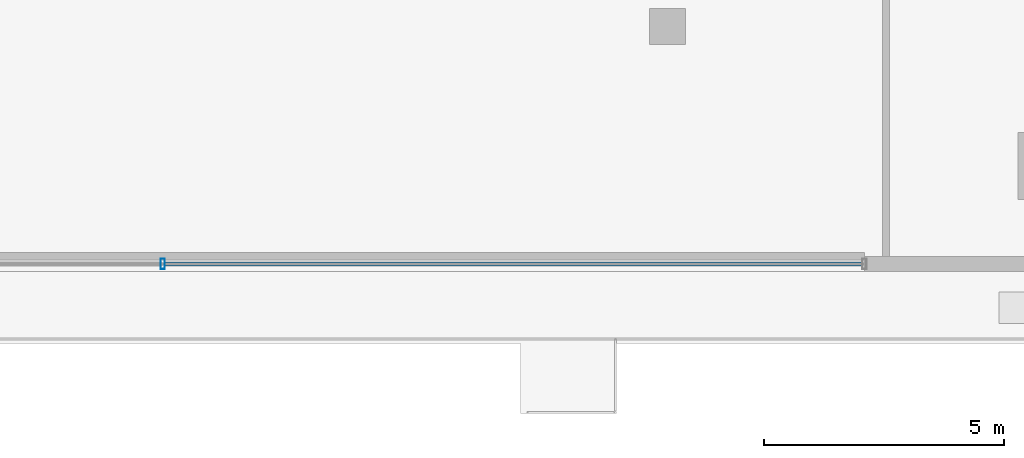
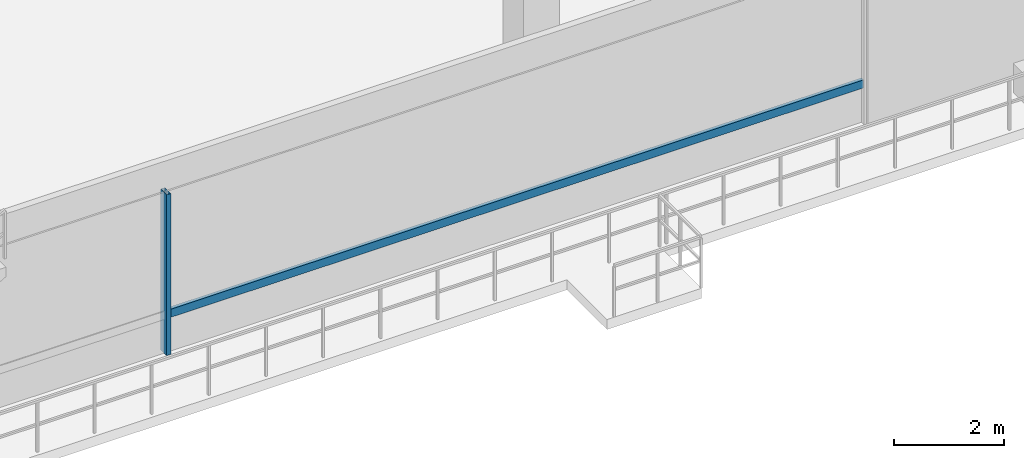
# One storey, part 4 of 25: 2 members, 1 element without a shape of its own.
"""IFC4 building model written with IfcOpenShell, lengths in metres."""

import ifcopenshell
import ifcopenshell.guid

model = None  # the IFC model being written
_history = None  # IfcOwnerHistory: only IFC2X3 demands one
_inside = {}  # id of a spatial element -> (the spatial element, [elements in it])
_under = {}  # id of a project, library or spatial element -> (it, [spatial elements below it])
_declared = {}  # id of a project -> (the project, [libraries it declares])
_typed = {}  # id of a type object -> (the type object, [elements of that type])
_made_of = {}  # id of a material, layer set ... -> (it, [elements and type objects made of it])


def new_model(schema):
    """Start an empty IFC model of exactly this schema.

    Asked for "IFC4X3", IfcOpenShell would pick the latest addendum, in which some entities
    have other attributes; the version numbers below select the first issue.
    IFC2X3 requires an IfcOwnerHistory on every rooted entity: one is made here for all.
    """
    global model, _history
    if schema == "IFC4X3":
        model = ifcopenshell.file(schema_version=(4, 3, 0, 0))
    else:
        model = ifcopenshell.file(schema=schema)
    _inside.clear()
    _under.clear()
    _declared.clear()
    _typed.clear()
    _made_of.clear()
    _history = None
    if model.schema == "IFC2X3":
        org = make("IfcOrganization", Name="unknown")
        user = make(
            "IfcPersonAndOrganization",
            ThePerson=make("IfcPerson", FamilyName="unknown"),
            TheOrganization=org,
        )
        app = make(
            "IfcApplication",
            ApplicationDeveloper=org,
            Version="unknown",
            ApplicationFullName="unknown",
            ApplicationIdentifier="unknown",
        )
        _history = make(
            "IfcOwnerHistory",
            OwningUser=user,
            OwningApplication=app,
            ChangeAction="ADDED",
            CreationDate=0,
        )
    return model


def make(cls, **values):
    """One entity of the class cls with the attributes given. An attribute that is None is left unset."""
    return model.create_entity(
        cls, **{name: value for name, value in values.items() if value is not None}
    )


def rooted(cls, **values):
    """An entity with a GlobalId (a new one), such as an element, a storey or a relation."""
    return make(cls, GlobalId=ifcopenshell.guid.new(), OwnerHistory=_history, **values)


def si_unit(unit_type, name, prefix=None):
    """IfcSIUnit, for example si_unit("LENGTHUNIT", "METRE", prefix="MILLI")."""
    return make("IfcSIUnit", UnitType=unit_type, Prefix=prefix, Name=name)


def assignment(units):
    """IfcUnitAssignment: the units of a project."""
    return None if units is None else make("IfcUnitAssignment", Units=units)


def point(xyz):
    """IfcCartesianPoint."""
    return None if xyz is None else make("IfcCartesianPoint", Coordinates=xyz)


def direction(xyz):
    """IfcDirection."""
    return None if xyz is None else make("IfcDirection", DirectionRatios=xyz)


def frame(location, z_axis=None, x_axis=None):
    """IfcAxis2Placement3D, a coordinate frame: its origin and axes. An axis left out is left unset."""
    return make(
        "IfcAxis2Placement3D",
        Location=point(location),
        Axis=direction(z_axis),
        RefDirection=direction(x_axis),
    )


def frame_2d(location, x_axis=None):
    """IfcAxis2Placement2D, a coordinate frame in the plane: its origin and x axis."""
    return make(
        "IfcAxis2Placement2D", Location=point(location), RefDirection=direction(x_axis)
    )


def origin():
    """The frame at (0, 0, 0) with its axes left unset."""
    return frame((0.0, 0.0, 0.0))


def origin_2d():
    """The frame at (0, 0) in the plane with its x axis left unset."""
    return frame_2d((0.0, 0.0))


def place(relative_to, where):
    """IfcLocalPlacement: puts the frame where relative to a parent placement (None: the world)."""
    return make(
        "IfcLocalPlacement", PlacementRelTo=relative_to, RelativePlacement=where
    )


def context(
    kind, dimensions, precision=None, world=None, true_north=None, identifier=None
):
    """IfcGeometricRepresentationContext, for example the 3D "Model" context."""
    return make(
        "IfcGeometricRepresentationContext",
        ContextIdentifier=identifier,
        ContextType=kind,
        CoordinateSpaceDimension=dimensions,
        Precision=precision,
        WorldCoordinateSystem=world,
        TrueNorth=true_north,
    )


def subcontext(parent, identifier, kind, view, scale=None):
    """IfcGeometricRepresentationSubContext, for example "Body" below "Model"."""
    return make(
        "IfcGeometricRepresentationSubContext",
        ContextIdentifier=identifier,
        ContextType=kind,
        ParentContext=parent,
        TargetScale=scale,
        TargetView=view,
    )


def project(units=None, contexts=None):
    """IfcProject with its units and contexts."""
    return rooted(
        "IfcProject",
        Name="project",
        RepresentationContexts=contexts,
        UnitsInContext=assignment(units),
    )


def spatial(cls, under=None, at=None, **own):
    """A site, building, storey or space (cls), placed at a placement, below another one or the project."""
    s = rooted(cls, ObjectPlacement=at, **own)
    if under is not None:
        _under.setdefault(under.id(), (under, []))[1].append(s)
    return s


def profile(cls, at=None, kind="AREA", **sizes):
    """A parametric profile (cls). Its sizes go by their IFC names, for example OverallWidth=200.0."""
    return make(cls, ProfileType=kind, Position=at, **sizes)


def hollow_rectangle(**sizes):
    """IfcRectangleHollowProfileDef."""
    return profile("IfcRectangleHollowProfileDef", **sizes)


def extrude(swept, where, along, depth):
    """IfcExtrudedAreaSolid: the profile swept, set in the frame where, extruded along a direction by depth."""
    return make(
        "IfcExtrudedAreaSolid",
        SweptArea=swept,
        Position=where,
        ExtrudedDirection=direction(along),
        Depth=depth,
    )


def shape(context_of_items, identifier, shape_type, items):
    """IfcShapeRepresentation: the items that make up one representation, for example the "Body"."""
    return make(
        "IfcShapeRepresentation",
        ContextOfItems=context_of_items,
        RepresentationIdentifier=identifier,
        RepresentationType=shape_type,
        Items=items,
    )


def material(Name=None, Category=None):
    """IfcMaterial."""
    return make("IfcMaterial", Name=Name, Category=Category)


def material_profile(
    of_material, cross_section, Name=None, Category=None, Priority=None
):
    """IfcMaterialProfile: a cross section and its material."""
    return make(
        "IfcMaterialProfile",
        Name=Name,
        Material=of_material,
        Profile=cross_section,
        Priority=Priority,
        Category=Category,
    )


def profile_set(profiles, Name=None, composite=None):
    """IfcMaterialProfileSet."""
    return make(
        "IfcMaterialProfileSet",
        Name=Name,
        MaterialProfiles=profiles,
        CompositeProfile=composite,
    )


def made_of(thing, what):
    """Note that an element or type object is made of a material, layer set ...; save() writes the relation."""
    if what is not None:
        _made_of.setdefault(what.id(), (what, []))[1].append(thing)
    return thing


def type_object(cls, material=None, **own):
    """A type object (cls), such as IfcWallType, which elements share."""
    return made_of(rooted(cls, **own), material)


def element(
    cls,
    number,
    at=None,
    inside=None,
    cuts=None,
    type_object=None,
    material=None,
    context=None,
    identifier="Body",
    shape_type=None,
    held_by="IfcProductDefinitionShape",
    body=None,
    shapes=None,
    **own,
):
    """One element of the class cls, such as IfcWall. Its Tag is "e" and its number.

    at: its placement. inside: the storey or other place that contains it. cuts: it is an
    opening in that element (IfcRelVoidsElement). A single representation is given by context,
    identifier, shape_type and body (its items); several are given by shapes. held_by: the class
    of the entity that holds the representations. save() writes the other relations.
    """
    e = rooted(cls, Tag="e%d" % number, ObjectPlacement=at, **own)
    if body is not None:
        shapes = [shape(context, identifier, shape_type, body)]
    if shapes is not None:
        e.Representation = make(held_by, Representations=shapes)
    if inside is not None:
        _inside.setdefault(inside.id(), (inside, []))[1].append(e)
    if cuts is not None:
        rooted(
            "IfcRelVoidsElement", RelatingBuildingElement=cuts, RelatedOpeningElement=e
        )
    if type_object is not None:
        _typed.setdefault(type_object.id(), (type_object, []))[1].append(e)
    return made_of(e, material)


def aggregate(whole, parts):
    """IfcRelAggregates: a whole, such as a stair, and the parts it consists of."""
    return rooted("IfcRelAggregates", RelatingObject=whole, RelatedObjects=parts)


def save(model, path):
    """Write the relations noted so far, then the file.

    IfcRelAggregates (storeys below a building ...), IfcRelContainedInSpatialStructure (elements
    in a storey), IfcRelDefinesByType, IfcRelAssociatesMaterial and IfcRelDeclares: one each for
    every whole, place, type object, material and project.
    """
    for whole, parts in _under.values():
        aggregate(whole, parts)
    for where, things in _inside.values():
        rooted(
            "IfcRelContainedInSpatialStructure",
            RelatedElements=things,
            RelatingStructure=where,
        )
    for kind, things in _typed.values():
        rooted("IfcRelDefinesByType", RelatedObjects=things, RelatingType=kind)
    for what, things in _made_of.values():
        rooted("IfcRelAssociatesMaterial", RelatedObjects=things, RelatingMaterial=what)
    for by, libraries in _declared.values():
        rooted("IfcRelDeclares", RelatingContext=by, RelatedDefinitions=libraries)
    model.write(path)


model = new_model("IFC4")

# Units and contexts
model_context = context("Model", 3, precision=1e-05, world=origin(), true_north=direction((0.0, 1.0)))
body_context = subcontext(model_context, "Body", "Model", "MODEL_VIEW")
ifc_project = project(units=[si_unit("LENGTHUNIT", "METRE"), si_unit("AREAUNIT", "SQUARE_METRE"), si_unit("VOLUMEUNIT", "CUBIC_METRE"), si_unit("PLANEANGLEUNIT", "RADIAN"), si_unit("MASSUNIT", "GRAM", prefix="KILO")], contexts=[model_context])

# Site, building, storey
site_placement = place(None, origin())
site = spatial("IfcSite", under=ifc_project, at=site_placement, CompositionType="ELEMENT")
building_placement = place(site_placement, origin())
building = spatial("IfcBuilding", under=site, at=building_placement, Name="Thornwick Lancets Civic Towers", CompositionType="ELEMENT")
storey_placement = place(building_placement, frame((0.0, 0.0, 9.60009765625)))
storey = spatial("IfcBuildingStorey", under=building, at=storey_placement, Name="L02", CompositionType="ELEMENT", Elevation=9.60009765625)

# Curtain wall, members
ifc_material_1 = material(Name="Terracotta-trimmed cascading podium ribbon curtain wall", Category="masonry")
curtain_wall_type = type_object("IfcCurtainWallType", Name="CW_SYS_02", PredefinedType="NOTDEFINED", material=ifc_material_1)
curtain_wall_placement = place(storey_placement, origin())
curtain_wall = element("IfcCurtainWall", 1, at=curtain_wall_placement, inside=storey, type_object=curtain_wall_type, Name="L02 Curtain Wall CW-L02-POD-SC", PredefinedType="NOTDEFINED")
ifc_material_2 = material(Name="Thermally broken bronze aluminium S355", Category="steel")
ifc_material_profile_1 = material_profile(ifc_material_2, hollow_rectangle(XDim=0.090087890625, YDim=0.219970703125, WallThickness=0.00634765625, at=origin_2d()), Name="RHS 220x90x6.3")
ifc_profile_set_1 = profile_set([ifc_material_profile_1], Name="Thermally broken bronze aluminium S355")
member_type_1 = type_object("IfcMemberType", Name="CW_MUL_220", PredefinedType="MULLION", material=ifc_profile_set_1)
member_1_placement = place(storey_placement, frame((57.0, 7.659912109375, 0.0), z_axis=(0.0, 0.0, 1.0), x_axis=(1.0, 0.0, 0.0)))
member_1 = element("IfcMember", 2, at=member_1_placement, type_object=member_type_1, Name="CW-L02-POD-SC Mullion 1", PredefinedType="MULLION", context=body_context, shape_type="SweptSolid", body=[
    extrude(hollow_rectangle(XDim=0.090087890625, YDim=0.219970703125, WallThickness=0.00634765625, at=origin_2d()), origin(), (0.0, 0.0, 1.0), 3.559814453125),
])
ifc_material_profile_2 = material_profile(ifc_material_2, hollow_rectangle(XDim=0.074951171875, YDim=0.179931640625, WallThickness=0.006103515625, at=origin_2d()), Name="RHS 180x75x6")
ifc_profile_set_2 = profile_set([ifc_material_profile_2], Name="Thermally broken bronze aluminium S355")
member_type_2 = type_object("IfcMemberType", Name="CW_TRN_180", PredefinedType="USERDEFINED", material=ifc_profile_set_2)
member_2_placement = place(storey_placement, frame((57.02001953125, 7.659912109375, 0.849853515625), z_axis=(1.0, 0.0, 0.0), x_axis=(0.0, 1.0, 0.0)))
member_2 = element("IfcMember", 3, at=member_2_placement, type_object=member_type_2, Name="CW-L02-POD-SC Transom 1", ObjectType="TRANSOM", PredefinedType="USERDEFINED", context=body_context, shape_type="SweptSolid", body=[
    extrude(hollow_rectangle(XDim=0.074951171875, YDim=0.179931640625, WallThickness=0.006103515625, at=origin_2d()), origin(), (0.0, 0.0, 1.0), 14.56005859375),
])
aggregate(curtain_wall, [member_1, member_2])

save(model, "model.ifc")
